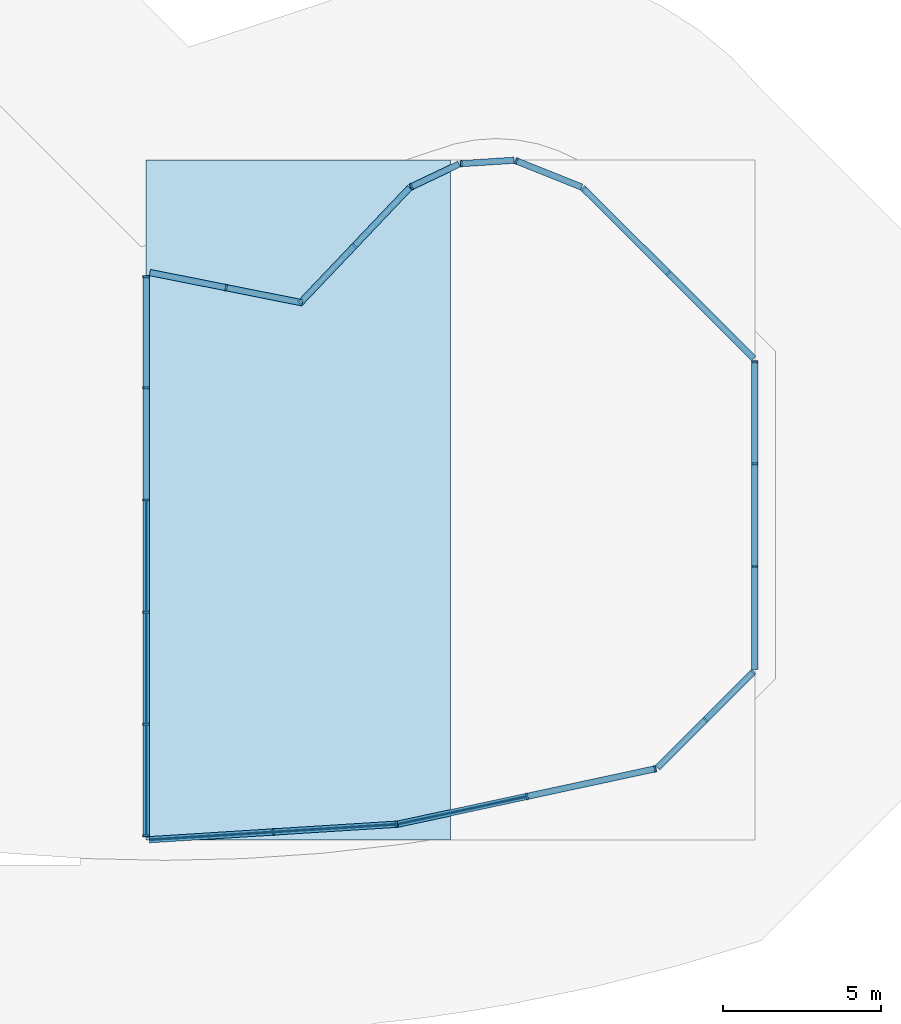
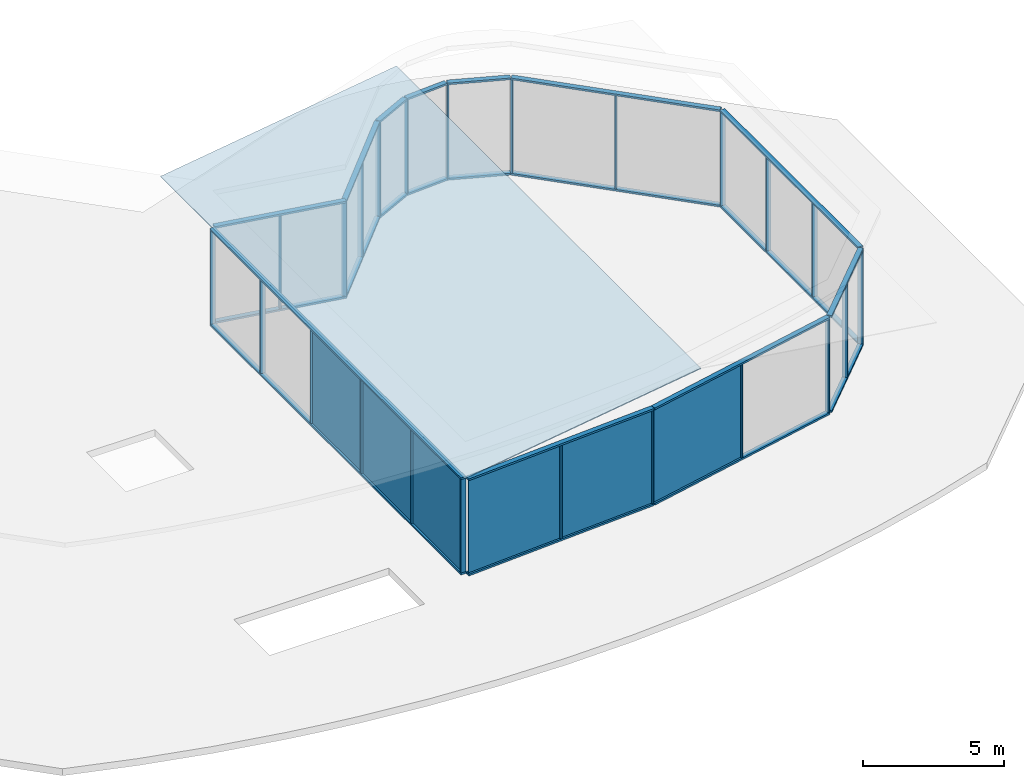
# One storey, part 1 of 2: 45 members, 7 plates, 11 elements without a shape of their own.
"""IFC4 building model written with IfcOpenShell, lengths in metres."""

from ifc_helpers import new_model, si_unit, direction, frame, origin, origin_2d, place, context, subcontext, project, spatial, polyline, rectangle, outline, extrude, material, layer, layer_set, material_profile, profile_set, type_object, element, aggregate, save


model = new_model("IFC4")

# Units and contexts
model_context = context("Model", 3, precision=1e-05, world=origin(), true_north=direction((0.0, 1.0)))
body_context = subcontext(model_context, "Body", "Model", "MODEL_VIEW")
ifc_project = project(units=[si_unit("LENGTHUNIT", "METRE"), si_unit("AREAUNIT", "SQUARE_METRE"), si_unit("VOLUMEUNIT", "CUBIC_METRE"), si_unit("PLANEANGLEUNIT", "RADIAN"), si_unit("MASSUNIT", "GRAM", prefix="KILO")], contexts=[model_context])

# Site, building, storey
site_placement = place(None, origin())
site = spatial("IfcSite", under=ifc_project, at=site_placement, CompositionType="ELEMENT")
building_placement = place(site_placement, origin())
building = spatial("IfcBuilding", under=site, at=building_placement, Name="Brevane Broadcast Tower", CompositionType="ELEMENT")
storey_placement = place(building_placement, frame((0.0, 0.0, 268.89990234375)))
storey = spatial("IfcBuildingStorey", under=building, at=storey_placement, Name="ROOF", CompositionType="ELEMENT", Elevation=268.89990234375)

# Curtain wall, members
ifc_material_1 = material(Name="Aluminium 6063-T6 bronze anodised", Category="aluminium")
curtain_wall_type = type_object("IfcCurtainWallType", Name="CW-5 lantern curtain wall", PredefinedType="NOTDEFINED", material=ifc_material_1)
curtain_wall_1_placement = place(storey_placement, origin())
curtain_wall_1 = element("IfcCurtainWall", 1, at=curtain_wall_1_placement, inside=storey, type_object=curtain_wall_type, Name="Lantern glass panel 1", PredefinedType="NOTDEFINED")
ifc_material_profile_1 = material_profile(ifc_material_1, rectangle(XDim=0.199951171875, YDim=0.06005859375, at=origin_2d()), Name="RECT 60x200")
ifc_profile_set_1 = profile_set([ifc_material_profile_1], Name="Aluminium 6063-T6 bronze anodised")
member_type_1 = type_object("IfcMemberType", Name="CW-5 hall mullion 60x200", PredefinedType="MULLION", material=ifc_profile_set_1)
member_1_placement = place(storey_placement, frame((25.800048828125, 20.163818359375, 0.380126953125), z_axis=(0.0, 0.0, 1.0), x_axis=(1.0, 0.0, 0.0)))
member_1 = element("IfcMember", 2, at=member_1_placement, type_object=member_type_1, Name="Lantern glass panel mullion", PredefinedType="MULLION", context=body_context, shape_type="SweptSolid", body=[
    extrude(rectangle(XDim=0.199951171875, YDim=0.06005859375, at=origin_2d()), origin(), (0.0, 0.0, 1.0), 4.0400390625),
])
member_2_placement = place(storey_placement, frame((25.800048828125, 16.63623046875, 0.380126953125), z_axis=(0.0, 0.0, 1.0), x_axis=(1.0, 0.0, 0.0)))
member_2 = element("IfcMember", 3, at=member_2_placement, type_object=member_type_1, Name="Lantern glass panel mullion", PredefinedType="MULLION", context=body_context, shape_type="SweptSolid", body=[
    extrude(rectangle(XDim=0.199951171875, YDim=0.06005859375, at=origin_2d()), origin(), (0.0, 0.0, 1.0), 4.0400390625),
])
member_3_placement = place(storey_placement, frame((25.800048828125, 13.07861328125, 0.380126953125), z_axis=(0.0, 0.0, 1.0), x_axis=(1.0, 0.0, 0.0)))
member_3 = element("IfcMember", 4, at=member_3_placement, type_object=member_type_1, Name="Lantern glass panel mullion", PredefinedType="MULLION", context=body_context, shape_type="SweptSolid", body=[
    extrude(rectangle(XDim=0.199951171875, YDim=0.06005859375, at=origin_2d()), origin(), (0.0, 0.0, 1.0), 4.0400390625),
])
member_4_placement = place(storey_placement, frame((25.800048828125, 9.52099609375, 0.380126953125), z_axis=(0.0, 0.0, 1.0), x_axis=(1.0, 0.0, 0.0)))
member_4 = element("IfcMember", 5, at=member_4_placement, type_object=member_type_1, Name="Lantern glass panel mullion", PredefinedType="MULLION", context=body_context, shape_type="SweptSolid", body=[
    extrude(rectangle(XDim=0.199951171875, YDim=0.06005859375, at=origin_2d()), origin(), (0.0, 0.0, 1.0), 4.0400390625),
])
member_5_placement = place(storey_placement, frame((25.800048828125, 5.963623046875, 0.380126953125), z_axis=(0.0, 0.0, 1.0), x_axis=(1.0, 0.0, 0.0)))
member_5 = element("IfcMember", 6, at=member_5_placement, type_object=member_type_1, Name="Lantern glass panel mullion", PredefinedType="MULLION", context=body_context, shape_type="SweptSolid", body=[
    extrude(rectangle(XDim=0.199951171875, YDim=0.06005859375, at=origin_2d()), origin(), (0.0, 0.0, 1.0), 4.0400390625),
])
member_6_placement = place(storey_placement, frame((25.800048828125, 2.43603515625, 0.380126953125), z_axis=(0.0, 0.0, 1.0), x_axis=(1.0, 0.0, 0.0)))
member_6 = element("IfcMember", 7, at=member_6_placement, type_object=member_type_1, Name="Lantern glass panel mullion", PredefinedType="MULLION", context=body_context, shape_type="SweptSolid", body=[
    extrude(rectangle(XDim=0.199951171875, YDim=0.06005859375, at=origin_2d()), origin(), (0.0, 0.0, 1.0), 4.0400390625),
])

curtain_wall_2_placement = place(storey_placement, origin())
curtain_wall_2 = element("IfcCurtainWall", 8, at=curtain_wall_2_placement, inside=storey, type_object=curtain_wall_type, Name="Lantern glass panel 2", PredefinedType="NOTDEFINED")
member_7_placement = place(storey_placement, frame((29.837646484375, 2.55224609375, 0.380126953125), z_axis=(0.0, 0.0, 1.0), x_axis=(-0.062433217329, 0.998049143767, 0.0)))
member_7 = element("IfcMember", 9, at=member_7_placement, type_object=member_type_1, Name="Lantern glass panel mullion", PredefinedType="MULLION", context=body_context, shape_type="SweptSolid", body=[
    extrude(rectangle(XDim=0.199951171875, YDim=0.06005859375, at=origin_2d()), origin(), (0.0, 0.0, 1.0), 4.0400390625),
])
member_8_placement = place(storey_placement, frame((33.7392578125, 2.796142578125, 0.380126953125), z_axis=(0.0, 0.0, 1.0), x_axis=(-0.062433217329, 0.998049143767, 0.0)))
member_8 = element("IfcMember", 10, at=member_8_placement, type_object=member_type_1, Name="Lantern glass panel mullion", PredefinedType="MULLION", context=body_context, shape_type="SweptSolid", body=[
    extrude(rectangle(XDim=0.199951171875, YDim=0.06005859375, at=origin_2d()), origin(), (0.0, 0.0, 1.0), 4.0400390625),
])

curtain_wall_3_placement = place(storey_placement, origin())
curtain_wall_3 = element("IfcCurtainWall", 11, at=curtain_wall_3_placement, inside=storey, type_object=curtain_wall_type, Name="Lantern glass panel 3", PredefinedType="NOTDEFINED")
member_9_placement = place(storey_placement, frame((37.876220703125, 3.679931640625, 0.380126953125), z_axis=(0.0, 0.0, 1.0), x_axis=(-0.210158419864, 0.977667345553, 0.0)))
member_9 = element("IfcMember", 12, at=member_9_placement, type_object=member_type_1, Name="Lantern glass panel mullion", PredefinedType="MULLION", context=body_context, shape_type="SweptSolid", body=[
    extrude(rectangle(XDim=0.199951171875, YDim=0.06005859375, at=origin_2d()), origin(), (0.0, 0.0, 1.0), 4.0400390625),
])
member_10_placement = place(storey_placement, frame((41.939453125, 4.55322265625, 0.380126953125), z_axis=(0.0, 0.0, 1.0), x_axis=(-0.210158419864, 0.977667345553, 0.0)))
member_10 = element("IfcMember", 13, at=member_10_placement, type_object=member_type_1, Name="Lantern glass panel mullion", PredefinedType="MULLION", context=body_context, shape_type="SweptSolid", body=[
    extrude(rectangle(XDim=0.199951171875, YDim=0.06005859375, at=origin_2d()), origin(), (0.0, 0.0, 1.0), 4.0400390625),
])

curtain_wall_4_placement = place(storey_placement, origin())
curtain_wall_4 = element("IfcCurtainWall", 14, at=curtain_wall_4_placement, inside=storey, type_object=curtain_wall_type, Name="Lantern glass panel 4", PredefinedType="NOTDEFINED")
member_11_placement = place(storey_placement, frame((43.544677734375, 6.11279296875, 0.380126953125), z_axis=(0.0, 0.0, 1.0), x_axis=(-0.707106781187, 0.707106781187, 0.0)))
member_11 = element("IfcMember", 15, at=member_11_placement, type_object=member_type_1, Name="Lantern glass panel mullion", PredefinedType="MULLION", context=body_context, shape_type="SweptSolid", body=[
    extrude(rectangle(XDim=0.199951171875, YDim=0.06005859375, at=origin_2d()), origin(), (0.0, 0.0, 1.0), 4.0400390625),
])
member_12_placement = place(storey_placement, frame((45.049560546875, 7.61767578125, 0.380126953125), z_axis=(0.0, 0.0, 1.0), x_axis=(-0.707106781187, 0.707106781187, 0.0)))
member_12 = element("IfcMember", 16, at=member_12_placement, type_object=member_type_1, Name="Lantern glass panel mullion", PredefinedType="MULLION", context=body_context, shape_type="SweptSolid", body=[
    extrude(rectangle(XDim=0.199951171875, YDim=0.06005859375, at=origin_2d()), origin(), (0.0, 0.0, 1.0), 4.0400390625),
])

curtain_wall_5_placement = place(storey_placement, origin())
curtain_wall_5 = element("IfcCurtainWall", 17, at=curtain_wall_5_placement, inside=storey, type_object=curtain_wall_type, Name="Lantern glass panel 5", PredefinedType="NOTDEFINED")
member_13_placement = place(storey_placement, frame((45.10009765625, 10.9697265625, 0.380126953125), z_axis=(0.0, 0.0, 1.0), x_axis=(-1.0, 0.0, 0.0)))
member_13 = element("IfcMember", 18, at=member_13_placement, type_object=member_type_1, Name="Lantern glass panel mullion", PredefinedType="MULLION", context=body_context, shape_type="SweptSolid", body=[
    extrude(rectangle(XDim=0.199951171875, YDim=0.06005859375, at=origin_2d()), origin(), (0.0, 0.0, 1.0), 4.0400390625),
])
member_14_placement = place(storey_placement, frame((45.10009765625, 14.230224609375, 0.380126953125), z_axis=(0.0, 0.0, 1.0), x_axis=(-1.0, 0.0, 0.0)))
member_14 = element("IfcMember", 19, at=member_14_placement, type_object=member_type_1, Name="Lantern glass panel mullion", PredefinedType="MULLION", context=body_context, shape_type="SweptSolid", body=[
    extrude(rectangle(XDim=0.199951171875, YDim=0.06005859375, at=origin_2d()), origin(), (0.0, 0.0, 1.0), 4.0400390625),
])
member_15_placement = place(storey_placement, frame((45.10009765625, 17.46044921875, 0.380126953125), z_axis=(0.0, 0.0, 1.0), x_axis=(-1.0, 0.0, 0.0)))
member_15 = element("IfcMember", 20, at=member_15_placement, type_object=member_type_1, Name="Lantern glass panel mullion", PredefinedType="MULLION", context=body_context, shape_type="SweptSolid", body=[
    extrude(rectangle(XDim=0.199951171875, YDim=0.06005859375, at=origin_2d()), origin(), (0.0, 0.0, 1.0), 4.0400390625),
])

curtain_wall_6_placement = place(storey_placement, origin())
curtain_wall_6 = element("IfcCurtainWall", 21, at=curtain_wall_6_placement, inside=storey, type_object=curtain_wall_type, Name="Lantern glass panel 6", PredefinedType="NOTDEFINED")
member_16_placement = place(storey_placement, frame((42.357177734375, 20.2705078125, 0.380126953125), z_axis=(0.0, 0.0, 1.0), x_axis=(-0.706567861278, -0.707645290671, 0.0)))
member_16 = element("IfcMember", 22, at=member_16_placement, type_object=member_type_1, Name="Lantern glass panel mullion", PredefinedType="MULLION", context=body_context, shape_type="SweptSolid", body=[
    extrude(rectangle(XDim=0.199951171875, YDim=0.06005859375, at=origin_2d()), origin(), (0.0, 0.0, 1.0), 4.0400390625),
])
member_17_placement = place(storey_placement, frame((39.6650390625, 22.95849609375, 0.380126953125), z_axis=(0.0, 0.0, 1.0), x_axis=(-0.706567861278, -0.707645290671, 0.0)))
member_17 = element("IfcMember", 23, at=member_17_placement, type_object=member_type_1, Name="Lantern glass panel mullion", PredefinedType="MULLION", context=body_context, shape_type="SweptSolid", body=[
    extrude(rectangle(XDim=0.199951171875, YDim=0.06005859375, at=origin_2d()), origin(), (0.0, 0.0, 1.0), 4.0400390625),
])

# Curtain wall, member
curtain_wall_7_placement = place(storey_placement, origin())
curtain_wall_7 = element("IfcCurtainWall", 24, at=curtain_wall_7_placement, inside=storey, type_object=curtain_wall_type, Name="Lantern glass panel 7", PredefinedType="NOTDEFINED")
member_18_placement = place(storey_placement, frame((37.535888671875, 23.832763671875, 0.380126953125), z_axis=(0.0, 0.0, 1.0), x_axis=(-0.37178455316, -0.928319043234, 0.0)))
member_18 = element("IfcMember", 25, at=member_18_placement, type_object=member_type_1, Name="Lantern glass panel mullion", PredefinedType="MULLION", context=body_context, shape_type="SweptSolid", body=[
    extrude(rectangle(XDim=0.199951171875, YDim=0.06005859375, at=origin_2d()), origin(), (0.0, 0.0, 1.0), 4.0400390625),
])

curtain_wall_8_placement = place(storey_placement, origin())
curtain_wall_8 = element("IfcCurtainWall", 26, at=curtain_wall_8_placement, inside=storey, type_object=curtain_wall_type, Name="Lantern glass panel 8", PredefinedType="NOTDEFINED")
member_19_placement = place(storey_placement, frame((35.791259765625, 23.744384765625, 0.380126953125), z_axis=(0.0, 0.0, 1.0), x_axis=(0.063446181428, -0.997985261445, 0.0)))
member_19 = element("IfcMember", 27, at=member_19_placement, type_object=member_type_1, Name="Lantern glass panel mullion", PredefinedType="MULLION", context=body_context, shape_type="SweptSolid", body=[
    extrude(rectangle(XDim=0.199951171875, YDim=0.06005859375, at=origin_2d()), origin(), (0.0, 0.0, 1.0), 4.0400390625),
])

curtain_wall_9_placement = place(storey_placement, origin())
curtain_wall_9 = element("IfcCurtainWall", 28, at=curtain_wall_9_placement, inside=storey, type_object=curtain_wall_type, Name="Lantern glass panel 9", PredefinedType="NOTDEFINED")
member_20_placement = place(storey_placement, frame((34.2109375, 23.01220703125, 0.380126953125), z_axis=(0.0, 0.0, 1.0), x_axis=(0.429933611894, -0.902860503823, 0.0)))
member_20 = element("IfcMember", 29, at=member_20_placement, type_object=member_type_1, Name="Lantern glass panel mullion", PredefinedType="MULLION", context=body_context, shape_type="SweptSolid", body=[
    extrude(rectangle(XDim=0.199951171875, YDim=0.06005859375, at=origin_2d()), origin(), (0.0, 0.0, 1.0), 4.0400390625),
])

# Curtain wall, members
curtain_wall_10_placement = place(storey_placement, origin())
curtain_wall_10 = element("IfcCurtainWall", 30, at=curtain_wall_10_placement, inside=storey, type_object=curtain_wall_type, Name="Lantern glass panel 10", PredefinedType="NOTDEFINED")
member_21_placement = place(storey_placement, frame((32.407958984375, 21.139404296875, 0.380126953125), z_axis=(0.0, 0.0, 1.0), x_axis=(0.725022633219, -0.688725040433, 0.0)))
member_21 = element("IfcMember", 31, at=member_21_placement, type_object=member_type_1, Name="Lantern glass panel mullion", PredefinedType="MULLION", context=body_context, shape_type="SweptSolid", body=[
    extrude(rectangle(XDim=0.199951171875, YDim=0.06005859375, at=origin_2d()), origin(), (0.0, 0.0, 1.0), 4.0400390625),
])
member_22_placement = place(storey_placement, frame((30.68212890625, 19.32275390625, 0.380126953125), z_axis=(0.0, 0.0, 1.0), x_axis=(0.725022633219, -0.688725040433, 0.0)))
member_22 = element("IfcMember", 32, at=member_22_placement, type_object=member_type_1, Name="Lantern glass panel mullion", PredefinedType="MULLION", context=body_context, shape_type="SweptSolid", body=[
    extrude(rectangle(XDim=0.199951171875, YDim=0.06005859375, at=origin_2d()), origin(), (0.0, 0.0, 1.0), 4.0400390625),
])

# Curtain wall, member
curtain_wall_11_placement = place(storey_placement, origin())
curtain_wall_11 = element("IfcCurtainWall", 33, at=curtain_wall_11_placement, inside=storey, type_object=curtain_wall_type, Name="Lantern glass panel 11", PredefinedType="NOTDEFINED")
member_23_placement = place(storey_placement, frame((28.33642578125, 19.81103515625, 0.380126953125), z_axis=(0.0, 0.0, 1.0), x_axis=(-0.195090245294, -0.980785295664, 0.0)))
member_23 = element("IfcMember", 34, at=member_23_placement, type_object=member_type_1, Name="Lantern glass panel mullion", PredefinedType="MULLION", context=body_context, shape_type="SweptSolid", body=[
    extrude(rectangle(XDim=0.199951171875, YDim=0.06005859375, at=origin_2d()), origin(), (0.0, 0.0, 1.0), 4.0400390625),
])

# Member
ifc_material_profile_2 = material_profile(ifc_material_1, rectangle(XDim=0.199951171875, YDim=0.080078125, at=origin_2d()), Name="RECT 80x200")
ifc_profile_set_2 = profile_set([ifc_material_profile_2], Name="Aluminium 6063-T6 bronze anodised")
member_type_2 = type_object("IfcMemberType", Name="CW-5 hall transom 80x200", PredefinedType="USERDEFINED", material=ifc_profile_set_2)
member_24_placement = place(storey_placement, frame((25.800048828125, 20.19384765625, 0.340087890625), z_axis=(0.0, -1.0, 0.0), x_axis=(1.0, 0.0, 0.0)))
member_24 = element("IfcMember", 35, at=member_24_placement, type_object=member_type_2, Name="Lantern glass panel transom", ObjectType="TRANSOM", PredefinedType="USERDEFINED", context=body_context, shape_type="SweptSolid", body=[
    extrude(rectangle(XDim=0.199951171875, YDim=0.080078125, at=origin_2d()), origin(), (0.0, 0.0, 1.0), 17.787841796875),
])

member_25_placement = place(storey_placement, frame((25.800048828125, 20.19384765625, 4.460205078125), z_axis=(0.0, -1.0, 0.0), x_axis=(1.0, 0.0, 0.0)))
member_25 = element("IfcMember", 36, at=member_25_placement, type_object=member_type_2, Name="Lantern glass panel transom", ObjectType="TRANSOM", PredefinedType="USERDEFINED", context=body_context, shape_type="SweptSolid", body=[
    extrude(rectangle(XDim=0.199951171875, YDim=0.080078125, at=origin_2d()), origin(), (0.0, 0.0, 1.0), 17.787841796875),
])

member_26_placement = place(storey_placement, frame((25.90625, 2.30615234375, 0.340087890625), z_axis=(0.998048476546, 0.062443882514, 0.0), x_axis=(-0.062443882514, 0.998048476546, 0.0)))
member_26 = element("IfcMember", 37, at=member_26_placement, type_object=member_type_2, Name="Lantern glass panel transom", ObjectType="TRANSOM", PredefinedType="USERDEFINED", context=body_context, shape_type="SweptSolid", body=[
    extrude(rectangle(XDim=0.199951171875, YDim=0.080078125, at=origin_2d()), origin(), (0.0, 0.0, 1.0), 7.878173828125),
])

member_27_placement = place(storey_placement, frame((25.90625, 2.30615234375, 4.460205078125), z_axis=(0.998048476546, 0.062443882514, 0.0), x_axis=(-0.062443882514, 0.998048476546, 0.0)))
member_27 = element("IfcMember", 38, at=member_27_placement, type_object=member_type_2, Name="Lantern glass panel transom", ObjectType="TRANSOM", PredefinedType="USERDEFINED", context=body_context, shape_type="SweptSolid", body=[
    extrude(rectangle(XDim=0.199951171875, YDim=0.080078125, at=origin_2d()), origin(), (0.0, 0.0, 1.0), 7.878173828125),
])

member_28_placement = place(storey_placement, frame((33.783935546875, 2.800048828125, 0.340087890625), z_axis=(0.977664357512, 0.210172319898, 0.0), x_axis=(-0.210172319898, 0.977664357512, 0.0)))
member_28 = element("IfcMember", 39, at=member_28_placement, type_object=member_type_2, Name="Lantern glass panel transom", ObjectType="TRANSOM", PredefinedType="USERDEFINED", context=body_context, shape_type="SweptSolid", body=[
    extrude(rectangle(XDim=0.199951171875, YDim=0.080078125, at=origin_2d()), origin(), (0.0, 0.0, 1.0), 8.371826171875),
])

member_29_placement = place(storey_placement, frame((33.783935546875, 2.800048828125, 4.460205078125), z_axis=(0.977664357512, 0.210172319898, 0.0), x_axis=(-0.210172319898, 0.977664357512, 0.0)))
member_29 = element("IfcMember", 40, at=member_29_placement, type_object=member_type_2, Name="Lantern glass panel transom", ObjectType="TRANSOM", PredefinedType="USERDEFINED", context=body_context, shape_type="SweptSolid", body=[
    extrude(rectangle(XDim=0.199951171875, YDim=0.080078125, at=origin_2d()), origin(), (0.0, 0.0, 1.0), 8.371826171875),
])

member_30_placement = place(storey_placement, frame((42.0185546875, 4.586669921875, 0.340087890625), z_axis=(0.707106781187, 0.707106781187, 0.0), x_axis=(-0.707106781187, 0.707106781187, 0.0)))
member_30 = element("IfcMember", 41, at=member_30_placement, type_object=member_type_2, Name="Lantern glass panel transom", ObjectType="TRANSOM", PredefinedType="USERDEFINED", context=body_context, shape_type="SweptSolid", body=[
    extrude(rectangle(XDim=0.199951171875, YDim=0.080078125, at=origin_2d()), origin(), (0.0, 0.0, 1.0), 4.31640625),
])

member_31_placement = place(storey_placement, frame((42.0185546875, 4.586669921875, 4.460205078125), z_axis=(0.707106781187, 0.707106781187, 0.0), x_axis=(-0.707106781187, 0.707106781187, 0.0)))
member_31 = element("IfcMember", 42, at=member_31_placement, type_object=member_type_2, Name="Lantern glass panel transom", ObjectType="TRANSOM", PredefinedType="USERDEFINED", context=body_context, shape_type="SweptSolid", body=[
    extrude(rectangle(XDim=0.199951171875, YDim=0.080078125, at=origin_2d()), origin(), (0.0, 0.0, 1.0), 4.31640625),
])

aggregate(curtain_wall_4, [member_11, member_12, member_30, member_31])

member_32_placement = place(storey_placement, frame((45.10009765625, 7.70947265625, 0.340087890625), z_axis=(0.0, 1.0, 0.0), x_axis=(-1.0, 0.0, 0.0)))
member_32 = element("IfcMember", 43, at=member_32_placement, type_object=member_type_2, Name="Lantern glass panel transom", ObjectType="TRANSOM", PredefinedType="USERDEFINED", context=body_context, shape_type="SweptSolid", body=[
    extrude(rectangle(XDim=0.199951171875, YDim=0.080078125, at=origin_2d()), origin(), (0.0, 0.0, 1.0), 9.781005859375),
])

member_33_placement = place(storey_placement, frame((45.10009765625, 7.70947265625, 4.460205078125), z_axis=(0.0, 1.0, 0.0), x_axis=(-1.0, 0.0, 0.0)))
member_33 = element("IfcMember", 44, at=member_33_placement, type_object=member_type_2, Name="Lantern glass panel transom", ObjectType="TRANSOM", PredefinedType="USERDEFINED", context=body_context, shape_type="SweptSolid", body=[
    extrude(rectangle(XDim=0.199951171875, YDim=0.080078125, at=origin_2d()), origin(), (0.0, 0.0, 1.0), 9.781005859375),
])

aggregate(curtain_wall_5, [member_13, member_14, member_15, member_32, member_33])

member_34_placement = place(storey_placement, frame((45.070556640625, 17.561279296875, 0.340087890625), z_axis=(-0.707647783909, 0.706565364229, 0.0), x_axis=(-0.706565364229, -0.707647783909, 0.0)))
member_34 = element("IfcMember", 45, at=member_34_placement, type_object=member_type_2, Name="Lantern glass panel transom", ObjectType="TRANSOM", PredefinedType="USERDEFINED", context=body_context, shape_type="SweptSolid", body=[
    extrude(rectangle(XDim=0.199951171875, YDim=0.080078125, at=origin_2d()), origin(), (0.0, 0.0, 1.0), 7.668701171875),
])

member_35_placement = place(storey_placement, frame((45.070556640625, 17.561279296875, 4.460205078125), z_axis=(-0.707647783909, 0.706565364229, 0.0), x_axis=(-0.706565364229, -0.707647783909, 0.0)))
member_35 = element("IfcMember", 46, at=member_35_placement, type_object=member_type_2, Name="Lantern glass panel transom", ObjectType="TRANSOM", PredefinedType="USERDEFINED", context=body_context, shape_type="SweptSolid", body=[
    extrude(rectangle(XDim=0.199951171875, YDim=0.080078125, at=origin_2d()), origin(), (0.0, 0.0, 1.0), 7.668701171875),
])

aggregate(curtain_wall_6, [member_16, member_17, member_34, member_35])

member_36_placement = place(storey_placement, frame((39.6103515625, 23.001708984375, 0.340087890625), z_axis=(-0.928305592034, 0.371818138071, 0.0), x_axis=(-0.371818138071, -0.928305592034, 0.0)))
member_36 = element("IfcMember", 47, at=member_36_placement, type_object=member_type_2, Name="Lantern glass panel transom", ObjectType="TRANSOM", PredefinedType="USERDEFINED", context=body_context, shape_type="SweptSolid", body=[
    extrude(rectangle(XDim=0.199951171875, YDim=0.080078125, at=origin_2d()), origin(), (0.0, 0.0, 1.0), 2.2646484375),
])

member_37_placement = place(storey_placement, frame((39.6103515625, 23.001708984375, 4.460205078125), z_axis=(-0.928305592034, 0.371818138071, 0.0), x_axis=(-0.371818138071, -0.928305592034, 0.0)))
member_37 = element("IfcMember", 48, at=member_37_placement, type_object=member_type_2, Name="Lantern glass panel transom", ObjectType="TRANSOM", PredefinedType="USERDEFINED", context=body_context, shape_type="SweptSolid", body=[
    extrude(rectangle(XDim=0.199951171875, YDim=0.080078125, at=origin_2d()), origin(), (0.0, 0.0, 1.0), 2.2646484375),
])

aggregate(curtain_wall_7, [member_18, member_36, member_37])

member_38_placement = place(storey_placement, frame((37.46435546875, 23.850830078125, 0.340087890625), z_axis=(-0.997980676139, -0.063518265511, 0.0), x_axis=(0.063518265511, -0.997980676139, 0.0)))
member_38 = element("IfcMember", 49, at=member_38_placement, type_object=member_type_2, Name="Lantern glass panel transom", ObjectType="TRANSOM", PredefinedType="USERDEFINED", context=body_context, shape_type="SweptSolid", body=[
    extrude(rectangle(XDim=0.199951171875, YDim=0.080078125, at=origin_2d()), origin(), (0.0, 0.0, 1.0), 1.70654296875),
])

member_39_placement = place(storey_placement, frame((37.46435546875, 23.850830078125, 4.460205078125), z_axis=(-0.997980676139, -0.063518265511, 0.0), x_axis=(0.063518265511, -0.997980676139, 0.0)))
member_39 = element("IfcMember", 50, at=member_39_placement, type_object=member_type_2, Name="Lantern glass panel transom", ObjectType="TRANSOM", PredefinedType="USERDEFINED", context=body_context, shape_type="SweptSolid", body=[
    extrude(rectangle(XDim=0.199951171875, YDim=0.080078125, at=origin_2d()), origin(), (0.0, 0.0, 1.0), 1.70654296875),
])

aggregate(curtain_wall_8, [member_19, member_38, member_39])

member_40_placement = place(storey_placement, frame((35.724609375, 23.73291015625, 0.340087890625), z_axis=(-0.902873740532, -0.429905813706, 0.0), x_axis=(0.429905813706, -0.902873740532, 0.0)))
member_40 = element("IfcMember", 51, at=member_40_placement, type_object=member_type_2, Name="Lantern glass panel transom", ObjectType="TRANSOM", PredefinedType="USERDEFINED", context=body_context, shape_type="SweptSolid", body=[
    extrude(rectangle(XDim=0.199951171875, YDim=0.080078125, at=origin_2d()), origin(), (0.0, 0.0, 1.0), 1.70654296875),
])

member_41_placement = place(storey_placement, frame((35.724609375, 23.73291015625, 4.460205078125), z_axis=(-0.902873740532, -0.429905813706, 0.0), x_axis=(0.429905813706, -0.902873740532, 0.0)))
member_41 = element("IfcMember", 52, at=member_41_placement, type_object=member_type_2, Name="Lantern glass panel transom", ObjectType="TRANSOM", PredefinedType="USERDEFINED", context=body_context, shape_type="SweptSolid", body=[
    extrude(rectangle(XDim=0.199951171875, YDim=0.080078125, at=origin_2d()), origin(), (0.0, 0.0, 1.0), 1.70654296875),
])

aggregate(curtain_wall_9, [member_20, member_40, member_41])

member_42_placement = place(storey_placement, frame((34.154296875, 22.977783203125, 0.340087890625), z_axis=(-0.688724156723, -0.725023472686, 0.0), x_axis=(0.725023472686, -0.688724156723, 0.0)))
member_42 = element("IfcMember", 53, at=member_42_placement, type_object=member_type_2, Name="Lantern glass panel transom", ObjectType="TRANSOM", PredefinedType="USERDEFINED", context=body_context, shape_type="SweptSolid", body=[
    extrude(rectangle(XDim=0.199951171875, YDim=0.080078125, at=origin_2d()), origin(), (0.0, 0.0, 1.0), 5.0712890625),
])

member_43_placement = place(storey_placement, frame((34.154296875, 22.977783203125, 4.460205078125), z_axis=(-0.688724156723, -0.725023472686, 0.0), x_axis=(0.725023472686, -0.688724156723, 0.0)))
member_43 = element("IfcMember", 54, at=member_43_placement, type_object=member_type_2, Name="Lantern glass panel transom", ObjectType="TRANSOM", PredefinedType="USERDEFINED", context=body_context, shape_type="SweptSolid", body=[
    extrude(rectangle(XDim=0.199951171875, YDim=0.080078125, at=origin_2d()), origin(), (0.0, 0.0, 1.0), 5.0712890625),
])

aggregate(curtain_wall_10, [member_21, member_22, member_42, member_43])

member_44_placement = place(storey_placement, frame((30.753662109375, 19.330322265625, 0.340087890625), z_axis=(-0.980791571009, 0.19505869434, 0.0), x_axis=(-0.19505869434, -0.980791571009, 0.0)))
member_44 = element("IfcMember", 55, at=member_44_placement, type_object=member_type_2, Name="Lantern glass panel transom", ObjectType="TRANSOM", PredefinedType="USERDEFINED", context=body_context, shape_type="SweptSolid", body=[
    extrude(rectangle(XDim=0.199951171875, YDim=0.080078125, at=origin_2d()), origin(), (0.0, 0.0, 1.0), 4.928955078125),
])

member_45_placement = place(storey_placement, frame((30.753662109375, 19.330322265625, 4.460205078125), z_axis=(-0.980791571009, 0.19505869434, 0.0), x_axis=(-0.19505869434, -0.980791571009, 0.0)))
member_45 = element("IfcMember", 56, at=member_45_placement, type_object=member_type_2, Name="Lantern glass panel transom", ObjectType="TRANSOM", PredefinedType="USERDEFINED", context=body_context, shape_type="SweptSolid", body=[
    extrude(rectangle(XDim=0.199951171875, YDim=0.080078125, at=origin_2d()), origin(), (0.0, 0.0, 1.0), 4.928955078125),
])

aggregate(curtain_wall_11, [member_23, member_44, member_45])

# Plate
ifc_material_2 = material(Name="Laminated glass bronze-tinted", Category="glass")
ifc_layer_1 = layer(ifc_material_2, 0.0400390625)
ifc_layer_set_1 = layer_set([ifc_layer_1], Name="CW tall glass panel 40")
plate_type_1 = type_object("IfcPlateType", Name="CW tall glass panel 40", PredefinedType="CURTAIN_PANEL", material=ifc_layer_set_1)
plate_1_placement = place(storey_placement, frame((25.800048828125, 11.2998046875, 0.380126953125), z_axis=(0.0, 0.0, 1.0), x_axis=(0.0, -1.0, 0.0)))
plate_1 = element("IfcPlate", 57, at=plate_1_placement, type_object=plate_type_1, Name="Hall glass panel", PredefinedType="CURTAIN_PANEL", context=body_context, shape_type="SweptSolid", body=[
    extrude(rectangle(XDim=3.49755859375, YDim=0.0400390625, at=origin_2d()), origin(), (0.0, 0.0, 1.0), 4.0400390625),
])

plate_2_placement = place(storey_placement, frame((25.800048828125, 7.742431640625, 0.380126953125), z_axis=(0.0, 0.0, 1.0), x_axis=(0.0, -1.0, 0.0)))
plate_2 = element("IfcPlate", 58, at=plate_2_placement, type_object=plate_type_1, Name="Hall glass panel", PredefinedType="CURTAIN_PANEL", context=body_context, shape_type="SweptSolid", body=[
    extrude(rectangle(XDim=3.49755859375, YDim=0.0400390625, at=origin_2d()), origin(), (0.0, 0.0, 1.0), 4.0400390625),
])

plate_3_placement = place(storey_placement, frame((25.800048828125, 4.184814453125, 0.380126953125), z_axis=(0.0, 0.0, 1.0), x_axis=(0.0, -1.0, 0.0)))
plate_3 = element("IfcPlate", 59, at=plate_3_placement, type_object=plate_type_1, Name="Hall glass panel", PredefinedType="CURTAIN_PANEL", context=body_context, shape_type="SweptSolid", body=[
    extrude(rectangle(XDim=3.49755859375, YDim=0.0400390625, at=origin_2d()), origin(), (0.0, 0.0, 1.0), 4.0400390625),
])

aggregate(curtain_wall_1, [member_1, member_2, member_3, member_4, member_5, member_6, member_24, member_25, plate_1, plate_2, plate_3])

plate_4_placement = place(storey_placement, frame((27.8720703125, 2.42919921875, 0.380126953125), z_axis=(0.0, 0.0, 1.0), x_axis=(0.998049143767, 0.062433217329, 0.0)))
plate_4 = element("IfcPlate", 60, at=plate_4_placement, type_object=plate_type_1, Name="Hall glass panel", PredefinedType="CURTAIN_PANEL", context=body_context, shape_type="SweptSolid", body=[
    extrude(rectangle(XDim=3.879150390625, YDim=0.0400390625, at=origin_2d()), origin(), (0.0, 0.0, 1.0), 4.0400390625),
])

plate_5_placement = place(storey_placement, frame((31.803466796875, 2.675048828125, 0.380126953125), z_axis=(0.0, 0.0, 1.0), x_axis=(0.998049143767, 0.062433217329, 0.0)))
plate_5 = element("IfcPlate", 61, at=plate_5_placement, type_object=plate_type_1, Name="Hall glass panel", PredefinedType="CURTAIN_PANEL", context=body_context, shape_type="SweptSolid", body=[
    extrude(rectangle(XDim=3.879150390625, YDim=0.0400390625, at=origin_2d()), origin(), (0.0, 0.0, 1.0), 4.0400390625),
])

aggregate(curtain_wall_2, [member_7, member_8, member_26, member_27, plate_4, plate_5])

plate_6_placement = place(storey_placement, frame((35.830078125, 3.239990234375, 0.380126953125), z_axis=(0.0, 0.0, 1.0), x_axis=(0.977667345553, 0.210158419864, 0.0)))
plate_6 = element("IfcPlate", 62, at=plate_6_placement, type_object=plate_type_1, Name="Hall glass panel", PredefinedType="CURTAIN_PANEL", context=body_context, shape_type="SweptSolid", body=[
    extrude(rectangle(XDim=4.1259765625, YDim=0.0400390625, at=origin_2d()), origin(), (0.0, 0.0, 1.0), 4.0400390625),
])

aggregate(curtain_wall_3, [member_9, member_10, member_28, member_29, plate_6])

ifc_layer_2 = layer(ifc_material_2, 0.0400390625)
ifc_layer_set_2 = layer_set([ifc_layer_2], Name="Lantern roof glass 40")
plate_type_2 = type_object("IfcPlateType", Name="Lantern roof glass 40", PredefinedType="SHEET", material=ifc_layer_set_2)
plate_7_placement = place(storey_placement, frame((25.800048828125, 23.852294921875, 4.5), z_axis=(-0.143590777095, 0.0, 0.989637150037), x_axis=(0.0, -1.0, 0.0)))
element("IfcPlate", 63, at=plate_7_placement, inside=storey, type_object=plate_type_2, Name="Lantern roof glass", PredefinedType="SHEET", context=body_context, shape_type="SweptSolid", body=[
    extrude(outline(polyline([(0.0, 0.0), (21.552734375, 0.0), (21.552734375, 9.75094997534186), (0.0, 9.75094997534186), (0.0, 0.0)])), origin(), (0.0, 0.0, -1.0), 0.0400390625),
])

save(model, "model.ifc")
